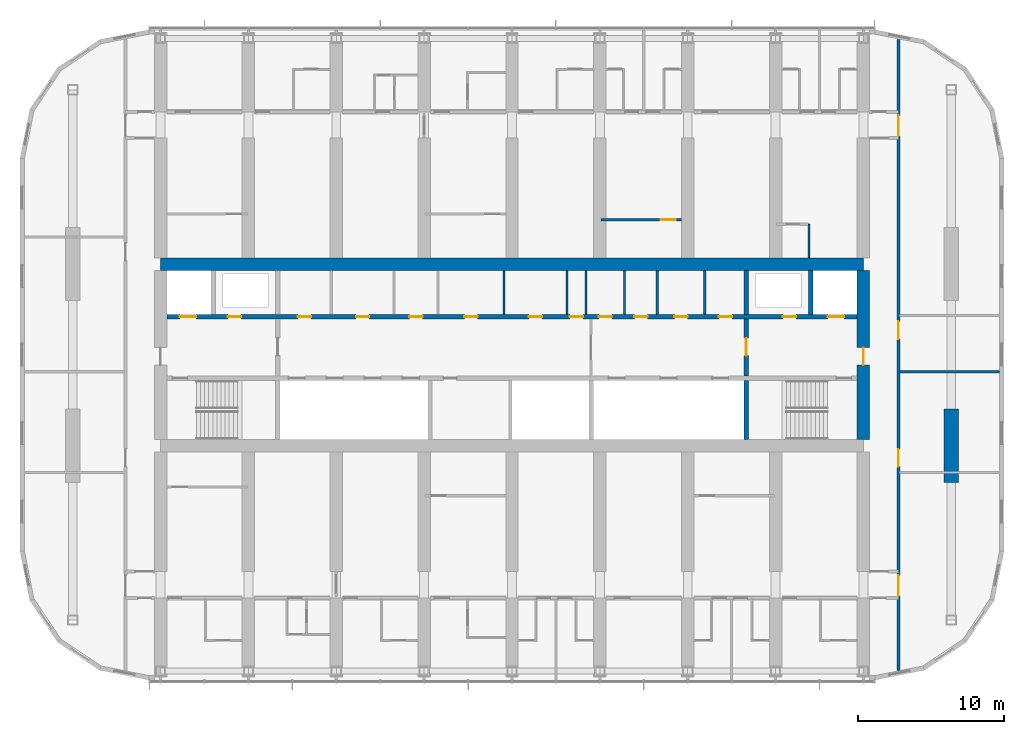
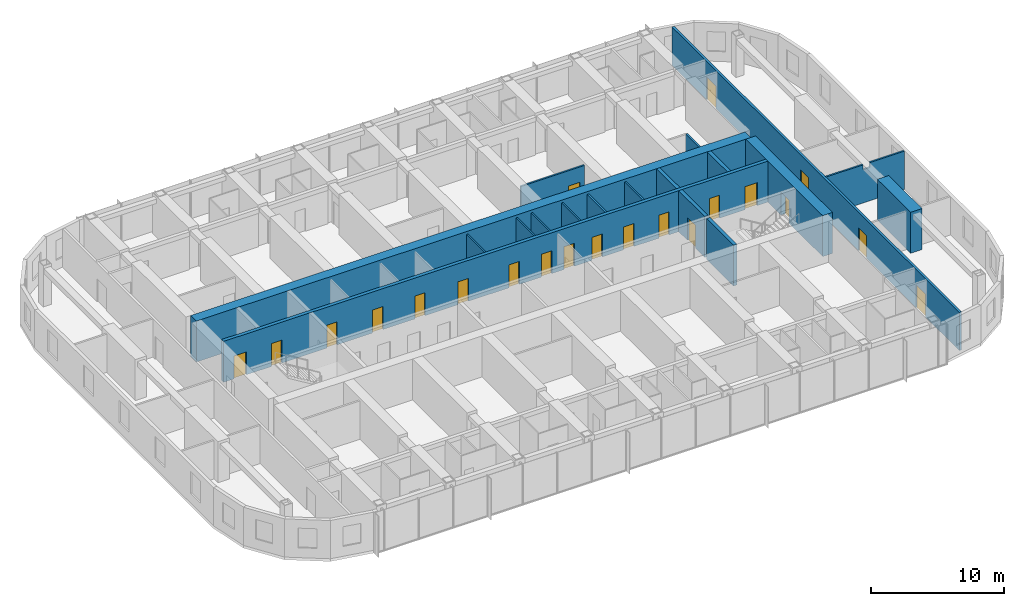
# One storey, part 14 of 23: 21 doors, 18 walls, 21 openings.
"""IFC4 building model written with IfcOpenShell, lengths in metres."""

from ifc_helpers import new_model, si_unit, direction, frame, frame_2d, origin, place, context, subcontext, project, spatial, polyline, rectangle, outline, extrude, material, layer, layer_set, type_object, element, fill, save


model = new_model("IFC4")

# Units and contexts
model_context = context("Model", 3, precision=1e-05, world=origin(), true_north=direction((0.0, 1.0)))
body_context = subcontext(model_context, "Body", "Model", "MODEL_VIEW")
ifc_project = project(units=[si_unit("LENGTHUNIT", "METRE"), si_unit("AREAUNIT", "SQUARE_METRE"), si_unit("VOLUMEUNIT", "CUBIC_METRE"), si_unit("PLANEANGLEUNIT", "RADIAN"), si_unit("MASSUNIT", "GRAM", prefix="KILO")], contexts=[model_context])

# Site, building, storey
site_placement = place(None, origin())
site = spatial("IfcSite", under=ifc_project, at=site_placement, CompositionType="ELEMENT")
building_placement = place(site_placement, origin())
building = spatial("IfcBuilding", under=site, at=building_placement, Name="Orbita Commons", CompositionType="ELEMENT")
storey_placement = place(building_placement, frame((0.0, 0.0, 171.10009765625)))
storey = spatial("IfcBuildingStorey", under=building, at=storey_placement, Name="L42", CompositionType="ELEMENT", Elevation=171.10009765625)

# Wall, openings, doors
ifc_material_1 = material(Name="Concrete C50/60", Category="concrete")
ifc_layer_1 = layer(ifc_material_1, 0.300048828125)
ifc_layer_set_1 = layer_set([ifc_layer_1], Name="Concrete C50/60")
wall_type_1 = type_object("IfcWallType", Name="Core inner wall 300 C50/60", PredefinedType="SHEAR", material=ifc_layer_set_1)
wall_1_placement = place(storey_placement, frame((18.425048828125, 34.60009765625, 0.0), z_axis=(0.0, 0.0, 1.0), x_axis=(1.0, 0.0, 0.0)))
wall_1 = element("IfcWall", 1, at=wall_1_placement, inside=storey, type_object=wall_type_1, Name="Lobby wall north L42", PredefinedType="SHEAR", context=body_context, shape_type="SweptSolid", body=[
    extrude(rectangle(XDim=47.14990234375, YDim=0.300048828125, at=frame_2d((23.574951171875, 0.0))), origin(), (0.0, 0.0, 1.0), 3.75),
])
opening_1_placement = place(wall_1_placement, frame((0.89990234375, 0.0, 0.0)))
opening_1 = element("IfcOpeningElement", 2, at=opening_1_placement, cuts=wall_1, Name="Opening LD01", PredefinedType="OPENING", context=body_context, shape_type="SweptSolid", body=[
    extrude(rectangle(XDim=1.10009765625, YDim=2.10009765625, at=frame_2d((0.550048828125, 1.050048828125))), frame((0.0, 0.159912109375, 0.0), z_axis=(0.0, -1.0, 0.0), x_axis=(1.0, 0.0, 0.0)), (0.0, 0.0, 1.0), 0.320068359375),
])
opening_2_placement = place(wall_1_placement, frame((45.14990234375, 0.0, 0.0)))
opening_2 = element("IfcOpeningElement", 3, at=opening_2_placement, cuts=wall_1, Name="Opening LD01", PredefinedType="OPENING", context=body_context, shape_type="SweptSolid", body=[
    extrude(rectangle(XDim=1.10009765625, YDim=2.10009765625, at=frame_2d((0.550048828125, 1.050048828125))), frame((0.0, 0.159912109375, 0.0), z_axis=(0.0, -1.0, 0.0), x_axis=(1.0, 0.0, 0.0)), (0.0, 0.0, 1.0), 0.320068359375),
])
opening_3_placement = place(wall_1_placement, frame((4.175048828125, 0.0, 0.0)))
opening_3 = element("IfcOpeningElement", 4, at=opening_3_placement, cuts=wall_1, Name="Opening D03", PredefinedType="OPENING", context=body_context, shape_type="SweptSolid", body=[
    extrude(rectangle(XDim=0.89990234375, YDim=2.10009765625, at=frame_2d((0.449951171875, 1.050048828125))), frame((0.0, 0.159912109375, 0.0), z_axis=(0.0, -1.0, 0.0), x_axis=(1.0, 0.0, 0.0)), (0.0, 0.0, 1.0), 0.320068359375),
])
opening_4_placement = place(wall_1_placement, frame((42.074951171875, 0.0, 0.0)))
opening_4 = element("IfcOpeningElement", 5, at=opening_4_placement, cuts=wall_1, Name="Opening D03", PredefinedType="OPENING", context=body_context, shape_type="SweptSolid", body=[
    extrude(rectangle(XDim=0.89990234375, YDim=2.10009765625, at=frame_2d((0.449951171875, 1.050048828125))), frame((0.0, 0.159912109375, 0.0), z_axis=(0.0, -1.0, 0.0), x_axis=(1.0, 0.0, 0.0)), (0.0, 0.0, 1.0), 0.320068359375),
])
opening_5_placement = place(wall_1_placement, frame((8.950439453125, 0.0, 0.0)))
opening_5 = element("IfcOpeningElement", 6, at=opening_5_placement, cuts=wall_1, Name="Opening D03", PredefinedType="OPENING", context=body_context, shape_type="SweptSolid", body=[
    extrude(rectangle(XDim=0.89990234375, YDim=2.10009765625, at=frame_2d((0.449951171875, 1.050048828125))), frame((0.0, 0.159912109375, 0.0), z_axis=(0.0, -1.0, 0.0), x_axis=(1.0, 0.0, 0.0)), (0.0, 0.0, 1.0), 0.320068359375),
])
opening_6_placement = place(wall_1_placement, frame((12.923583984375, 0.0, 0.0)))
opening_6 = element("IfcOpeningElement", 7, at=opening_6_placement, cuts=wall_1, Name="Opening D03", PredefinedType="OPENING", context=body_context, shape_type="SweptSolid", body=[
    extrude(rectangle(XDim=0.89990234375, YDim=2.10009765625, at=frame_2d((0.449951171875, 1.050048828125))), frame((0.0, 0.159912109375, 0.0), z_axis=(0.0, -1.0, 0.0), x_axis=(1.0, 0.0, 0.0)), (0.0, 0.0, 1.0), 0.320068359375),
])
opening_7_placement = place(wall_1_placement, frame((16.5712890625, 0.0, 0.0)))
opening_7 = element("IfcOpeningElement", 8, at=opening_7_placement, cuts=wall_1, Name="Opening D03", PredefinedType="OPENING", context=body_context, shape_type="SweptSolid", body=[
    extrude(rectangle(XDim=0.89990234375, YDim=2.10009765625, at=frame_2d((0.449951171875, 1.050048828125))), frame((0.0, 0.159912109375, 0.0), z_axis=(0.0, -1.0, 0.0), x_axis=(1.0, 0.0, 0.0)), (0.0, 0.0, 1.0), 0.320068359375),
])
opening_8_placement = place(wall_1_placement, frame((20.32958984375, 0.0, 0.0)))
opening_8 = element("IfcOpeningElement", 9, at=opening_8_placement, cuts=wall_1, Name="Opening D03", PredefinedType="OPENING", context=body_context, shape_type="SweptSolid", body=[
    extrude(rectangle(XDim=0.89990234375, YDim=2.10009765625, at=frame_2d((0.449951171875, 1.050048828125))), frame((0.0, 0.159912109375, 0.0), z_axis=(0.0, -1.0, 0.0), x_axis=(1.0, 0.0, 0.0)), (0.0, 0.0, 1.0), 0.320068359375),
])
opening_9_placement = place(wall_1_placement, frame((24.735595703125, 0.0, 0.0)))
opening_9 = element("IfcOpeningElement", 10, at=opening_9_placement, cuts=wall_1, Name="Opening D03", PredefinedType="OPENING", context=body_context, shape_type="SweptSolid", body=[
    extrude(rectangle(XDim=0.89990234375, YDim=2.10009765625, at=frame_2d((0.449951171875, 1.050048828125))), frame((0.0, 0.159912109375, 0.0), z_axis=(0.0, -1.0, 0.0), x_axis=(1.0, 0.0, 0.0)), (0.0, 0.0, 1.0), 0.320068359375),
])
opening_10_placement = place(wall_1_placement, frame((27.533447265625, 0.0, 0.0)))
opening_10 = element("IfcOpeningElement", 11, at=opening_10_placement, cuts=wall_1, Name="Opening D03", PredefinedType="OPENING", context=body_context, shape_type="SweptSolid", body=[
    extrude(rectangle(XDim=0.89990234375, YDim=2.10009765625, at=frame_2d((0.449951171875, 1.050048828125))), frame((0.0, 0.159912109375, 0.0), z_axis=(0.0, -1.0, 0.0), x_axis=(1.0, 0.0, 0.0)), (0.0, 0.0, 1.0), 0.320068359375),
])
opening_11_placement = place(wall_1_placement, frame((29.50048828125, 0.0, 0.0)))
opening_11 = element("IfcOpeningElement", 12, at=opening_11_placement, cuts=wall_1, Name="Opening D05", PredefinedType="OPENING", context=body_context, shape_type="SweptSolid", body=[
    extrude(rectangle(XDim=0.89990234375, YDim=2.10009765625, at=frame_2d((0.449951171875, 1.050048828125))), frame((0.0, 0.159912109375, 0.0), z_axis=(0.0, -1.0, 0.0), x_axis=(1.0, 0.0, 0.0)), (0.0, 0.0, 1.0), 0.320068359375),
])
opening_12_placement = place(wall_1_placement, frame((31.931884765625, 0.0, 0.0)))
opening_12 = element("IfcOpeningElement", 13, at=opening_12_placement, cuts=wall_1, Name="Opening D05", PredefinedType="OPENING", context=body_context, shape_type="SweptSolid", body=[
    extrude(rectangle(XDim=0.89990234375, YDim=2.10009765625, at=frame_2d((0.449951171875, 1.050048828125))), frame((0.0, 0.159912109375, 0.0), z_axis=(0.0, -1.0, 0.0), x_axis=(1.0, 0.0, 0.0)), (0.0, 0.0, 1.0), 0.320068359375),
])
opening_13_placement = place(wall_1_placement, frame((34.667236328125, 0.0, 0.0)))
opening_13 = element("IfcOpeningElement", 14, at=opening_13_placement, cuts=wall_1, Name="Opening D05", PredefinedType="OPENING", context=body_context, shape_type="SweptSolid", body=[
    extrude(rectangle(XDim=0.89990234375, YDim=2.10009765625, at=frame_2d((0.449951171875, 1.050048828125))), frame((0.0, 0.159912109375, 0.0), z_axis=(0.0, -1.0, 0.0), x_axis=(1.0, 0.0, 0.0)), (0.0, 0.0, 1.0), 0.320068359375),
])
opening_14_placement = place(wall_1_placement, frame((37.70654296875, 0.0, 0.0)))
opening_14 = element("IfcOpeningElement", 15, at=opening_14_placement, cuts=wall_1, Name="Opening D03", PredefinedType="OPENING", context=body_context, shape_type="SweptSolid", body=[
    extrude(rectangle(XDim=0.89990234375, YDim=2.10009765625, at=frame_2d((0.449951171875, 1.050048828125))), frame((0.0, 0.159912109375, 0.0), z_axis=(0.0, -1.0, 0.0), x_axis=(1.0, 0.0, 0.0)), (0.0, 0.0, 1.0), 0.320068359375),
])
ifc_material_2 = material(Name="Steel-faced fire door leaf", Category="steel")
door_type_1 = type_object("IfcDoorType", Name="Firefighting lift landing door 1100x2100", OperationType="DOUBLE_DOOR_SLIDING", PredefinedType="DOOR", material=ifc_material_2)
door_1_placement = place(opening_1_placement, origin())
door_1 = element("IfcDoor", 16, at=door_1_placement, inside=storey, type_object=door_type_1, Name="Firefighting lift FL1 landing door", OperationType="DOUBLE_DOOR_SLIDING", OverallHeight=2.10009765625, OverallWidth=1.10009765625, PredefinedType="DOOR", context=body_context, shape_type="SweptSolid", body=[
    extrude(rectangle(XDim=1.10009765625, YDim=2.10009765625, at=frame_2d((0.550048828125, 1.050048828125))), frame((0.0, 0.02490234375, 0.0), z_axis=(0.0, -1.0, 0.0), x_axis=(1.0, 0.0, 0.0)), (0.0, 0.0, 1.0), 0.050048828125),
])
fill(opening_1, door_1)
door_2_placement = place(opening_2_placement, origin())
door_2 = element("IfcDoor", 17, at=door_2_placement, inside=storey, type_object=door_type_1, Name="Firefighting lift FL2 landing door", OperationType="DOUBLE_DOOR_SLIDING", OverallHeight=2.10009765625, OverallWidth=1.10009765625, PredefinedType="DOOR", context=body_context, shape_type="SweptSolid", body=[
    extrude(rectangle(XDim=1.10009765625, YDim=2.10009765625, at=frame_2d((0.550048828125, 1.050048828125))), frame((0.0, 0.02490234375, 0.0), z_axis=(0.0, -1.0, 0.0), x_axis=(1.0, 0.0, 0.0)), (0.0, 0.0, 1.0), 0.050048828125),
])
fill(opening_2, door_2)
ifc_material_3 = material(Name="Steel-faced fire door leaf", Category="steel")
door_type_2 = type_object("IfcDoorType", Name="Service door 20 min 900x2100", OperationType="SINGLE_SWING_LEFT", PredefinedType="DOOR", material=ifc_material_3)
door_3_placement = place(opening_11_placement, origin())
door_3 = element("IfcDoor", 18, at=door_3_placement, inside=storey, type_object=door_type_2, Name="Accessible WC door", OperationType="SINGLE_SWING_LEFT", OverallHeight=2.10009765625, OverallWidth=0.89990234375, PredefinedType="DOOR", context=body_context, shape_type="SweptSolid", body=[
    extrude(rectangle(XDim=0.89990234375, YDim=2.10009765625, at=frame_2d((0.449951171875, 1.050048828125))), frame((0.0, 0.02490234375, 0.0), z_axis=(0.0, -1.0, 0.0), x_axis=(1.0, 0.0, 0.0)), (0.0, 0.0, 1.0), 0.050048828125),
])
fill(opening_11, door_3)
door_4_placement = place(opening_12_placement, origin())
door_4 = element("IfcDoor", 19, at=door_4_placement, inside=storey, type_object=door_type_2, Name="Staff WC door", OperationType="SINGLE_SWING_LEFT", OverallHeight=2.10009765625, OverallWidth=0.89990234375, PredefinedType="DOOR", context=body_context, shape_type="SweptSolid", body=[
    extrude(rectangle(XDim=0.89990234375, YDim=2.10009765625, at=frame_2d((0.449951171875, 1.050048828125))), frame((0.0, 0.02490234375, 0.0), z_axis=(0.0, -1.0, 0.0), x_axis=(1.0, 0.0, 0.0)), (0.0, 0.0, 1.0), 0.050048828125),
])
fill(opening_12, door_4)
door_5_placement = place(opening_13_placement, origin())
door_5 = element("IfcDoor", 20, at=door_5_placement, inside=storey, type_object=door_type_2, Name="Guest pantry door", OperationType="SINGLE_SWING_LEFT", OverallHeight=2.10009765625, OverallWidth=0.89990234375, PredefinedType="DOOR", context=body_context, shape_type="SweptSolid", body=[
    extrude(rectangle(XDim=0.89990234375, YDim=2.10009765625, at=frame_2d((0.449951171875, 1.050048828125))), frame((0.0, 0.02490234375, 0.0), z_axis=(0.0, -1.0, 0.0), x_axis=(1.0, 0.0, 0.0)), (0.0, 0.0, 1.0), 0.050048828125),
])
fill(opening_13, door_5)
ifc_material_4 = material(Name="Steel-faced fire door leaf", Category="steel")
door_type_3 = type_object("IfcDoorType", Name="Shaft access door 90 min 900x2100", OperationType="SINGLE_SWING_LEFT", PredefinedType="DOOR", material=ifc_material_4)
door_6_placement = place(opening_3_placement, origin())
door_6 = element("IfcDoor", 21, at=door_6_placement, inside=storey, type_object=door_type_3, Name="Riser door west", OperationType="SINGLE_SWING_LEFT", OverallHeight=2.10009765625, OverallWidth=0.89990234375, PredefinedType="DOOR", context=body_context, shape_type="SweptSolid", body=[
    extrude(rectangle(XDim=0.89990234375, YDim=2.10009765625, at=frame_2d((0.449951171875, 1.050048828125))), frame((0.0, 0.02490234375, 0.0), z_axis=(0.0, -1.0, 0.0), x_axis=(1.0, 0.0, 0.0)), (0.0, 0.0, 1.0), 0.050048828125),
])
fill(opening_3, door_6)
door_7_placement = place(opening_4_placement, origin())
door_7 = element("IfcDoor", 22, at=door_7_placement, inside=storey, type_object=door_type_3, Name="Riser door east", OperationType="SINGLE_SWING_LEFT", OverallHeight=2.10009765625, OverallWidth=0.89990234375, PredefinedType="DOOR", context=body_context, shape_type="SweptSolid", body=[
    extrude(rectangle(XDim=0.89990234375, YDim=2.10009765625, at=frame_2d((0.449951171875, 1.050048828125))), frame((0.0, 0.02490234375, 0.0), z_axis=(0.0, -1.0, 0.0), x_axis=(1.0, 0.0, 0.0)), (0.0, 0.0, 1.0), 0.050048828125),
])
fill(opening_4, door_7)
door_8_placement = place(opening_5_placement, origin())
door_8 = element("IfcDoor", 23, at=door_8_placement, inside=storey, type_object=door_type_3, Name="Cleaners store door", OperationType="SINGLE_SWING_LEFT", OverallHeight=2.10009765625, OverallWidth=0.89990234375, PredefinedType="DOOR", context=body_context, shape_type="SweptSolid", body=[
    extrude(rectangle(XDim=0.89990234375, YDim=2.10009765625, at=frame_2d((0.449951171875, 1.050048828125))), frame((0.0, 0.02490234375, 0.0), z_axis=(0.0, -1.0, 0.0), x_axis=(1.0, 0.0, 0.0)), (0.0, 0.0, 1.0), 0.050048828125),
])
fill(opening_5, door_8)
door_9_placement = place(opening_6_placement, origin())
door_9 = element("IfcDoor", 24, at=door_9_placement, inside=storey, type_object=door_type_3, Name="Refuse chute room door", OperationType="SINGLE_SWING_LEFT", OverallHeight=2.10009765625, OverallWidth=0.89990234375, PredefinedType="DOOR", context=body_context, shape_type="SweptSolid", body=[
    extrude(rectangle(XDim=0.89990234375, YDim=2.10009765625, at=frame_2d((0.449951171875, 1.050048828125))), frame((0.0, 0.02490234375, 0.0), z_axis=(0.0, -1.0, 0.0), x_axis=(1.0, 0.0, 0.0)), (0.0, 0.0, 1.0), 0.050048828125),
])
fill(opening_6, door_9)
door_10_placement = place(opening_7_placement, origin())
door_10 = element("IfcDoor", 25, at=door_10_placement, inside=storey, type_object=door_type_3, Name="Electrical riser room door", OperationType="SINGLE_SWING_LEFT", OverallHeight=2.10009765625, OverallWidth=0.89990234375, PredefinedType="DOOR", context=body_context, shape_type="SweptSolid", body=[
    extrude(rectangle(XDim=0.89990234375, YDim=2.10009765625, at=frame_2d((0.449951171875, 1.050048828125))), frame((0.0, 0.02490234375, 0.0), z_axis=(0.0, -1.0, 0.0), x_axis=(1.0, 0.0, 0.0)), (0.0, 0.0, 1.0), 0.050048828125),
])
fill(opening_7, door_10)
door_11_placement = place(opening_8_placement, origin())
door_11 = element("IfcDoor", 26, at=door_11_placement, inside=storey, type_object=door_type_3, Name="IT room door", OperationType="SINGLE_SWING_LEFT", OverallHeight=2.10009765625, OverallWidth=0.89990234375, PredefinedType="DOOR", context=body_context, shape_type="SweptSolid", body=[
    extrude(rectangle(XDim=0.89990234375, YDim=2.10009765625, at=frame_2d((0.449951171875, 1.050048828125))), frame((0.0, 0.02490234375, 0.0), z_axis=(0.0, -1.0, 0.0), x_axis=(1.0, 0.0, 0.0)), (0.0, 0.0, 1.0), 0.050048828125),
])
fill(opening_8, door_11)
door_12_placement = place(opening_9_placement, origin())
door_12 = element("IfcDoor", 27, at=door_12_placement, inside=storey, type_object=door_type_3, Name="Communications room door", OperationType="SINGLE_SWING_LEFT", OverallHeight=2.10009765625, OverallWidth=0.89990234375, PredefinedType="DOOR", context=body_context, shape_type="SweptSolid", body=[
    extrude(rectangle(XDim=0.89990234375, YDim=2.10009765625, at=frame_2d((0.449951171875, 1.050048828125))), frame((0.0, 0.02490234375, 0.0), z_axis=(0.0, -1.0, 0.0), x_axis=(1.0, 0.0, 0.0)), (0.0, 0.0, 1.0), 0.050048828125),
])
fill(opening_9, door_12)
door_13_placement = place(opening_10_placement, origin())
door_13 = element("IfcDoor", 28, at=door_13_placement, inside=storey, type_object=door_type_3, Name="Stair pressurisation duct door", OperationType="SINGLE_SWING_LEFT", OverallHeight=2.10009765625, OverallWidth=0.89990234375, PredefinedType="DOOR", context=body_context, shape_type="SweptSolid", body=[
    extrude(rectangle(XDim=0.89990234375, YDim=2.10009765625, at=frame_2d((0.449951171875, 1.050048828125))), frame((0.0, 0.02490234375, 0.0), z_axis=(0.0, -1.0, 0.0), x_axis=(1.0, 0.0, 0.0)), (0.0, 0.0, 1.0), 0.050048828125),
])
fill(opening_10, door_13)
door_14_placement = place(opening_14_placement, origin())
door_14 = element("IfcDoor", 29, at=door_14_placement, inside=storey, type_object=door_type_3, Name="Linen store door", OperationType="SINGLE_SWING_LEFT", OverallHeight=2.10009765625, OverallWidth=0.89990234375, PredefinedType="DOOR", context=body_context, shape_type="SweptSolid", body=[
    extrude(rectangle(XDim=0.89990234375, YDim=2.10009765625, at=frame_2d((0.449951171875, 1.050048828125))), frame((0.0, 0.02490234375, 0.0), z_axis=(0.0, -1.0, 0.0), x_axis=(1.0, 0.0, 0.0)), (0.0, 0.0, 1.0), 0.050048828125),
])
fill(opening_14, door_14)

# Wall
wall_2_placement = place(storey_placement, frame((58.0, 26.22509765625, 0.0), z_axis=(0.0, 0.0, 1.0), x_axis=(0.0, 1.0, 0.0)))
element("IfcWall", 30, at=wall_2_placement, inside=storey, type_object=wall_type_1, Name="Stair S2 wall L42", PredefinedType="SHEAR", context=body_context, shape_type="SweptSolid", body=[
    extrude(rectangle(XDim=4.02490234375, YDim=0.300048828125, at=frame_2d((2.012451171875, 0.0))), origin(), (0.0, 0.0, 1.0), 3.75),
])

# Wall, opening, door
wall_3_placement = place(storey_placement, frame((58.0, 30.550048828125, 0.0), z_axis=(0.0, 0.0, 1.0), x_axis=(0.0, 1.0, 0.0)))
wall_3 = element("IfcWall", 31, at=wall_3_placement, inside=storey, type_object=wall_type_1, Name="Firefighting lobby wall east L42", PredefinedType="SHEAR", context=body_context, shape_type="SweptSolid", body=[
    extrude(rectangle(XDim=3.89990234375, YDim=0.300048828125, at=frame_2d((1.949951171875, 0.0))), origin(), (0.0, 0.0, 1.0), 3.75),
])
opening_15_placement = place(wall_3_placement, frame((1.39990234375, 0.0, 0.0)))
opening_15 = element("IfcOpeningElement", 32, at=opening_15_placement, cuts=wall_3, Name="Opening D04", PredefinedType="OPENING", context=body_context, shape_type="SweptSolid", body=[
    extrude(rectangle(XDim=1.199951171875, YDim=2.10009765625, at=frame_2d((0.60009765625, 1.050048828125))), frame((0.0, 0.159912109375, 0.0), z_axis=(0.0, -1.0, 0.0), x_axis=(1.0, 0.0, 0.0)), (0.0, 0.0, 1.0), 0.320068359375),
])
ifc_material_5 = material(Name="Steel-faced fire door leaf", Category="steel")
door_type_4 = type_object("IfcDoorType", Name="Service door 20 min 1200x2100", OperationType="SINGLE_SWING_LEFT", PredefinedType="DOOR", material=ifc_material_5)
door_15_placement = place(opening_15_placement, origin())
door_15 = element("IfcDoor", 33, at=door_15_placement, inside=storey, type_object=door_type_4, Name="Lift lobby door east", OperationType="SINGLE_SWING_LEFT", OverallHeight=2.10009765625, OverallWidth=1.199951171875, PredefinedType="DOOR", context=body_context, shape_type="SweptSolid", body=[
    extrude(rectangle(XDim=1.199951171875, YDim=2.10009765625, at=frame_2d((0.60009765625, 1.050048828125))), frame((0.0, 0.02490234375, 0.0), z_axis=(0.0, -1.0, 0.0), x_axis=(1.0, 0.0, 0.0)), (0.0, 0.0, 1.0), 0.050048828125),
])
fill(opening_15, door_15)

# Walls
for number, where, z_axis, x_axis, name in (
    (34, (62.39990234375, 34.75, 0.0), (0.0, 0.0, 1.0), (0.0, 1.0, 0.0), "Firefighting lift FL2 shaft wall L42"),
    (35, (58.0, 34.75, 0.0), (0.0, 0.0, 1.0), (0.0, 1.0, 0.0), "Riser wall east L42"),
):
    element("IfcWall", number, at=place(storey_placement, frame(where, z_axis=z_axis, x_axis=x_axis)), inside=storey, type_object=wall_type_1, Name=name, PredefinedType="SHEAR", context=body_context, shape_type="SweptSolid", body=[
        extrude(rectangle(XDim=3.02490234375, YDim=0.300048828125, at=frame_2d((1.512451171875, 0.0))), origin(), (0.0, 0.0, 1.0), 3.75),
    ])
ifc_material_6 = material(Name="Concrete blockwork", Category="masonry")
ifc_layer_2 = layer(ifc_material_6, 0.14990234375)
ifc_layer_set_2 = layer_set([ifc_layer_2], Name="Concrete blockwork")
wall_type_2 = type_object("IfcWallType", Name="Core partition 150 blockwork", PredefinedType="SOLIDWALL", material=ifc_layer_set_2)
for number, where, z_axis, x_axis, name in (
    (36, (41.463134765625, 34.75, 0.0), (0.0, 0.0, 1.0), (0.0, 1.0, 0.0), "Core partition 150 blockwork L42"),
    (37, (45.75830078125, 34.75, 0.0), (0.0, 0.0, 1.0), (0.0, 1.0, 0.0), "Core partition 150 blockwork L42"),
    (38, (47.058349609375, 34.75, 0.0), (0.0, 0.0, 1.0), (0.0, 1.0, 0.0), "Core partition 150 blockwork L42"),
    (39, (49.6923828125, 34.75, 0.0), (0.0, 0.0, 1.0), (0.0, 1.0, 0.0), "Core partition 150 blockwork L42"),
    (40, (51.92138671875, 34.75, 0.0), (0.0, 0.0, 1.0), (0.0, 1.0, 0.0), "Core partition 150 blockwork L42"),
    (41, (55.163330078125, 34.75, 0.0), (0.0, 0.0, 1.0), (0.0, 1.0, 0.0), "Core partition 150 blockwork L42"),
):
    element("IfcWall", number, at=place(storey_placement, frame(where, z_axis=z_axis, x_axis=x_axis)), inside=storey, type_object=wall_type_2, Name=name, PredefinedType="SOLIDWALL", context=body_context, shape_type="SweptSolid", body=[
        extrude(rectangle(XDim=3.02490234375, YDim=0.14990234375, at=frame_2d((1.512451171875, 0.0))), origin(), (0.0, 0.0, 1.0), 3.5),
    ])
ifc_material_7 = material(Name="Concrete C50/60", Category="concrete")
ifc_layer_3 = layer(ifc_material_7, 0.85009765625)
ifc_layer_set_3 = layer_set([ifc_layer_3], Name="Concrete C50/60")
wall_type_3 = type_object("IfcWallType", Name="Core wall 850 C50/60", PredefinedType="SHEAR", material=ifc_layer_set_3)
wall_4_placement = place(storey_placement, frame((18.0, 38.199951171875, 0.0), z_axis=(0.0, 0.0, 1.0), x_axis=(1.0, 0.0, 0.0)))
element("IfcWall", 42, at=wall_4_placement, inside=storey, type_object=wall_type_3, Name="Core spine wall north L42", PredefinedType="SHEAR", context=body_context, shape_type="SweptSolid", body=[
    extrude(rectangle(XDim=48.0, YDim=0.85009765625, at=frame_2d((24.0, 0.0))), origin(), (0.0, 0.0, 1.0), 3.75),
])

# Wall, opening, door
wall_5_placement = place(storey_placement, frame((66.0, 26.22509765625, 0.0), z_axis=(0.0, 0.0, 1.0), x_axis=(0.0, 1.0, 0.0)))
wall_5 = element("IfcWall", 43, at=wall_5_placement, inside=storey, type_object=wall_type_3, Name="Core end wall east L42", PredefinedType="SHEAR", context=body_context, shape_type="SweptSolid", body=[
    extrude(rectangle(XDim=11.5498046875, YDim=0.85009765625, at=frame_2d((5.77490234375, 0.0))), origin(), (0.0, 0.0, 1.0), 3.75),
])
opening_16_placement = place(wall_5_placement, frame((5.074951171875, 0.0, 0.0)))
opening_16 = element("IfcOpeningElement", 44, at=opening_16_placement, cuts=wall_5, Name="Opening D01", PredefinedType="OPENING", context=body_context, shape_type="SweptSolid", body=[
    extrude(rectangle(XDim=1.199951171875, YDim=2.10009765625, at=frame_2d((0.60009765625, 1.050048828125))), frame((0.0, 0.43505859375, 0.0), z_axis=(0.0, -1.0, 0.0), x_axis=(1.0, 0.0, 0.0)), (0.0, 0.0, 1.0), 0.8701171875),
])
ifc_material_8 = material(Name="Steel-faced fire door leaf", Category="steel")
door_type_5 = type_object("IfcDoorType", Name="Fire door 90 min 1200x2100", OperationType="SINGLE_SWING_LEFT", PredefinedType="DOOR", material=ifc_material_8)
door_16_placement = place(opening_16_placement, origin())
door_16 = element("IfcDoor", 45, at=door_16_placement, inside=storey, type_object=door_type_5, Name="Firefighting lobby east door", OperationType="SINGLE_SWING_LEFT", OverallHeight=2.10009765625, OverallWidth=1.199951171875, PredefinedType="DOOR", context=body_context, shape_type="SweptSolid", body=[
    extrude(rectangle(XDim=1.199951171875, YDim=2.10009765625, at=frame_2d((0.60009765625, 1.050048828125))), frame((0.0, 0.02490234375, 0.0), z_axis=(0.0, -1.0, 0.0), x_axis=(1.0, 0.0, 0.0)), (0.0, 0.0, 1.0), 0.050048828125),
])
fill(opening_16, door_16)

# Wall, openings, doors
ifc_material_9 = material(Name="Concrete blockwork", Category="masonry")
ifc_layer_4 = layer(ifc_material_9, 0.199951171875)
ifc_layer_set_4 = layer_set([ifc_layer_4], Name="Concrete blockwork")
wall_type_4 = type_object("IfcWallType", Name="Corridor wall 200 blockwork", PredefinedType="SOLIDWALL", material=ifc_layer_set_4)
wall_6_placement = place(storey_placement, frame((68.39990234375, 10.4462890625, 0.0), z_axis=(0.0, 0.0, 1.0), x_axis=(0.0, 1.0, 0.0)))
wall_6 = element("IfcWall", 46, at=wall_6_placement, inside=storey, type_object=wall_type_4, Name="Corridor wall 200 blockwork L42", PredefinedType="SOLIDWALL", context=body_context, shape_type="SweptSolid", body=[
    extrude(rectangle(XDim=43.107421875, YDim=0.199951171875, at=frame_2d((21.5537109375, 0.0))), origin(), (0.0, 0.0, 1.0), 3.5),
])
opening_17_placement = place(wall_6_placement, frame((13.913818359375, 0.0, 0.0)))
opening_17 = element("IfcOpeningElement", 47, at=opening_17_placement, cuts=wall_6, Name="Opening D15", PredefinedType="OPENING", context=body_context, shape_type="SweptSolid", body=[
    extrude(rectangle(XDim=1.199951171875, YDim=2.10009765625, at=frame_2d((0.60009765625, 1.050048828125))), frame((0.0, 0.10986328125, 0.0), z_axis=(0.0, -1.0, 0.0), x_axis=(1.0, 0.0, 0.0)), (0.0, 0.0, 1.0), 0.219970703125),
])
opening_18_placement = place(wall_6_placement, frame((22.6337890625, 0.0, 0.0)))
opening_18 = element("IfcOpeningElement", 48, at=opening_18_placement, cuts=wall_6, Name="Opening D15", PredefinedType="OPENING", context=body_context, shape_type="SweptSolid", body=[
    extrude(rectangle(XDim=1.199951171875, YDim=2.10009765625, at=frame_2d((0.60009765625, 1.050048828125))), frame((0.0, 0.10986328125, 0.0), z_axis=(0.0, -1.0, 0.0), x_axis=(1.0, 0.0, 0.0)), (0.0, 0.0, 1.0), 0.219970703125),
])
opening_19_placement = place(wall_6_placement, frame((5.103759765625, 0.0, 0.0)))
opening_19 = element("IfcOpeningElement", 49, at=opening_19_placement, cuts=wall_6, Name="Opening D08", PredefinedType="OPENING", context=body_context, shape_type="SweptSolid", body=[
    extrude(rectangle(XDim=1.39990234375, YDim=2.10009765625, at=frame_2d((0.699951171875, 1.050048828125))), frame((0.0, 0.10986328125, 0.0), z_axis=(0.0, -1.0, 0.0), x_axis=(1.0, 0.0, 0.0)), (0.0, 0.0, 1.0), 0.219970703125),
])
opening_20_placement = place(wall_6_placement, frame((36.50390625, 0.0, 0.0)))
opening_20 = element("IfcOpeningElement", 50, at=opening_20_placement, cuts=wall_6, Name="Opening D08", PredefinedType="OPENING", context=body_context, shape_type="SweptSolid", body=[
    extrude(rectangle(XDim=1.39990234375, YDim=2.10009765625, at=frame_2d((0.699951171875, 1.050048828125))), frame((0.0, 0.10986328125, 0.0), z_axis=(0.0, -1.0, 0.0), x_axis=(1.0, 0.0, 0.0)), (0.0, 0.0, 1.0), 0.219970703125),
])
ifc_material_10 = material(Name="Steel-faced fire door leaf", Category="steel")
door_type_6 = type_object("IfcDoorType", Name="Corridor door 20 min 1200x2100", OperationType="SINGLE_SWING_LEFT", PredefinedType="DOOR", material=ifc_material_10)
door_17_placement = place(opening_17_placement, origin())
door_17 = element("IfcDoor", 51, at=door_17_placement, inside=storey, type_object=door_type_6, Name="Study hall door", OperationType="SINGLE_SWING_LEFT", OverallHeight=2.10009765625, OverallWidth=1.199951171875, PredefinedType="DOOR", context=body_context, shape_type="SweptSolid", body=[
    extrude(rectangle(XDim=1.199951171875, YDim=2.10009765625, at=frame_2d((0.60009765625, 1.050048828125))), frame((0.0, 0.02490234375, 0.0), z_axis=(0.0, -1.0, 0.0), x_axis=(1.0, 0.0, 0.0)), (0.0, 0.0, 1.0), 0.050048828125),
])
fill(opening_17, door_17)
door_18_placement = place(opening_18_placement, origin())
door_18 = element("IfcDoor", 52, at=door_18_placement, inside=storey, type_object=door_type_6, Name="Study commons door", OperationType="SINGLE_SWING_LEFT", OverallHeight=2.10009765625, OverallWidth=1.199951171875, PredefinedType="DOOR", context=body_context, shape_type="SweptSolid", body=[
    extrude(rectangle(XDim=1.199951171875, YDim=2.10009765625, at=frame_2d((0.60009765625, 1.050048828125))), frame((0.0, 0.02490234375, 0.0), z_axis=(0.0, -1.0, 0.0), x_axis=(1.0, 0.0, 0.0)), (0.0, 0.0, 1.0), 0.050048828125),
])
fill(opening_18, door_18)
ifc_material_11 = material(Name="Steel-faced fire door leaf", Category="steel")
door_type_7 = type_object("IfcDoorType", Name="Double corridor door 20 min 1400x2100", OperationType="DOUBLE_DOOR_SINGLE_SWING", PredefinedType="DOOR", material=ifc_material_11)
door_19_placement = place(opening_19_placement, origin())
door_19 = element("IfcDoor", 53, at=door_19_placement, inside=storey, type_object=door_type_7, Name="Lounge doors", OperationType="DOUBLE_DOOR_SINGLE_SWING", OverallHeight=2.10009765625, OverallWidth=1.39990234375, PredefinedType="DOOR", context=body_context, shape_type="SweptSolid", body=[
    extrude(rectangle(XDim=1.39990234375, YDim=2.10009765625, at=frame_2d((0.699951171875, 1.050048828125))), frame((0.0, 0.02490234375, 0.0), z_axis=(0.0, -1.0, 0.0), x_axis=(1.0, 0.0, 0.0)), (0.0, 0.0, 1.0), 0.050048828125),
])
fill(opening_19, door_19)
door_20_placement = place(opening_20_placement, origin())
door_20 = element("IfcDoor", 54, at=door_20_placement, inside=storey, type_object=door_type_7, Name="Lounge doors", OperationType="DOUBLE_DOOR_SINGLE_SWING", OverallHeight=2.10009765625, OverallWidth=1.39990234375, PredefinedType="DOOR", context=body_context, shape_type="SweptSolid", body=[
    extrude(rectangle(XDim=1.39990234375, YDim=2.10009765625, at=frame_2d((0.699951171875, 1.050048828125))), frame((0.0, 0.02490234375, 0.0), z_axis=(0.0, -1.0, 0.0), x_axis=(1.0, 0.0, 0.0)), (0.0, 0.0, 1.0), 0.050048828125),
])
fill(opening_20, door_20)

# Wall
ifc_material_12 = material(Name="Concrete C50/60", Category="concrete")
ifc_layer_5 = layer(ifc_material_12, 1.0)
ifc_layer_set_5 = layer_set([ifc_layer_5], Name="Concrete C50/60")
wall_type_5 = type_object("IfcWallType", Name="End pier 1000x5000 C50/60", PredefinedType="SHEAR", material=ifc_layer_set_5)
wall_7_placement = place(storey_placement, frame((72.0, 23.300048828125, 0.0), z_axis=(0.0, 0.0, 1.0), x_axis=(0.0, 1.0, 0.0)))
element("IfcWall", 55, at=wall_7_placement, inside=storey, type_object=wall_type_5, Name="End pier 13/C L42", PredefinedType="SHEAR", context=body_context, shape_type="SweptSolid", body=[
    extrude(rectangle(XDim=5.0, YDim=1.0, at=frame_2d((2.5, 0.0))), origin(), (0.0, 0.0, 1.0), 3.75),
])

# Wall, opening, door
ifc_material_13 = material(Name="Gypsum plasterboard on steel studs", Category="steel")
ifc_layer_6 = layer(ifc_material_13, 0.14990234375)
ifc_layer_set_6 = layer_set([ifc_layer_6], Name="Gypsum plasterboard on steel studs")
wall_type_6 = type_object("IfcWallType", Name="Partition 150 plasterboard", PredefinedType="PARTITIONING", material=ifc_layer_set_6)
wall_8_placement = place(storey_placement, frame((53.574951171875, 41.22509765625, 0.0), z_axis=(0.0, 0.0, 1.0), x_axis=(-1.0, 0.0, 0.0)))
wall_8 = element("IfcWall", 56, at=wall_8_placement, inside=storey, type_object=wall_type_6, Name="Partition 150 plasterboard L42", PredefinedType="PARTITIONING", context=body_context, shape_type="SweptSolid", body=[
    extrude(rectangle(XDim=5.5, YDim=0.14990234375, at=frame_2d((2.75, 0.0))), origin(), (0.0, 0.0, 1.0), 3.5),
])
opening_21_placement = place(wall_8_placement, frame((0.39990234375, 0.0, 0.0)))
opening_21 = element("IfcOpeningElement", 57, at=opening_21_placement, cuts=wall_8, Name="Opening D17", PredefinedType="OPENING", context=body_context, shape_type="SweptSolid", body=[
    extrude(rectangle(XDim=1.0, YDim=2.10009765625, at=frame_2d((0.5, 1.050048828125))), frame((0.0, 0.0849609375, 0.0), z_axis=(0.0, -1.0, 0.0), x_axis=(1.0, 0.0, 0.0)), (0.0, 0.0, 1.0), 0.169921875),
])
ifc_material_14 = material(Name="Steel-faced fire door leaf", Category="steel")
door_type_8 = type_object("IfcDoorType", Name="Shaft access door 90 min 1000x2100", OperationType="SINGLE_SWING_LEFT", PredefinedType="DOOR", material=ifc_material_14)
door_21_placement = place(opening_21_placement, origin())
door_21 = element("IfcDoor", 58, at=door_21_placement, inside=storey, type_object=door_type_8, Name="Electrical and data room L42-BDN48 door", OperationType="SINGLE_SWING_LEFT", OverallHeight=2.10009765625, OverallWidth=1.0, PredefinedType="DOOR", context=body_context, shape_type="SweptSolid", body=[
    extrude(rectangle(XDim=1.0, YDim=2.10009765625, at=frame_2d((0.5, 1.050048828125))), frame((0.0, 0.02490234375, 0.0), z_axis=(0.0, -1.0, 0.0), x_axis=(1.0, 0.0, 0.0)), (0.0, 0.0, 1.0), 0.050048828125),
])
fill(opening_21, door_21)

# Walls
wall_9_placement = place(storey_placement, frame((62.27490234375, 40.925048828125, 0.0), z_axis=(0.0, 0.0, 1.0), x_axis=(0.0, -1.0, 0.0)))
element("IfcWall", 59, at=wall_9_placement, inside=storey, type_object=wall_type_6, Name="Partition 150 plasterboard L42", PredefinedType="PARTITIONING", context=body_context, shape_type="SweptSolid", body=[
    extrude(rectangle(XDim=2.300048828125, YDim=0.14990234375, at=frame_2d((1.14990234375, 0.0))), origin(), (0.0, 0.0, 1.0), 3.5),
])
wall_10_placement = place(storey_placement, frame((68.47509765625, 30.85009765625, 0.0), z_axis=(0.0, 0.0, 1.0), x_axis=(1.0, 0.0, 0.0)))
element("IfcWall", 60, at=wall_10_placement, inside=storey, type_object=wall_type_6, Name="Partition 150 plasterboard L42", PredefinedType="PARTITIONING", context=body_context, shape_type="SweptSolid", body=[
    extrude(outline(polyline([(0.0, 0.0), (6.81982421875, 0.0), (6.820068359375, 3.5), (3.826904296875, 3.5), (3.824951171875, 3.0498046875), (3.22705078125, 3.0498046875), (3.22509765625, 3.5), (0.0, 3.5), (0.0, 0.0)])), frame((0.0, 0.074951171875, 0.0), z_axis=(0.0, -1.0, 0.0), x_axis=(1.0, 0.0, 0.0)), (0.0, 0.0, 1.0), 0.14990234375),
])

save(model, "model.ifc")
